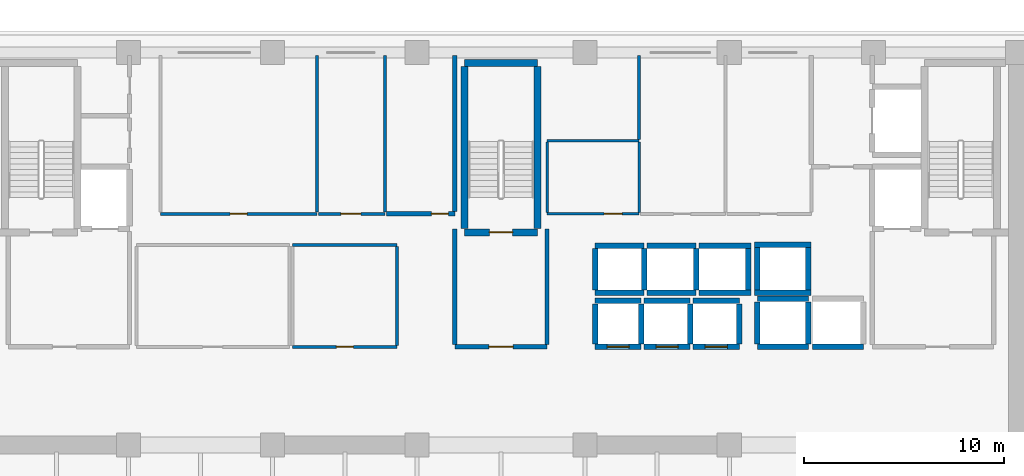
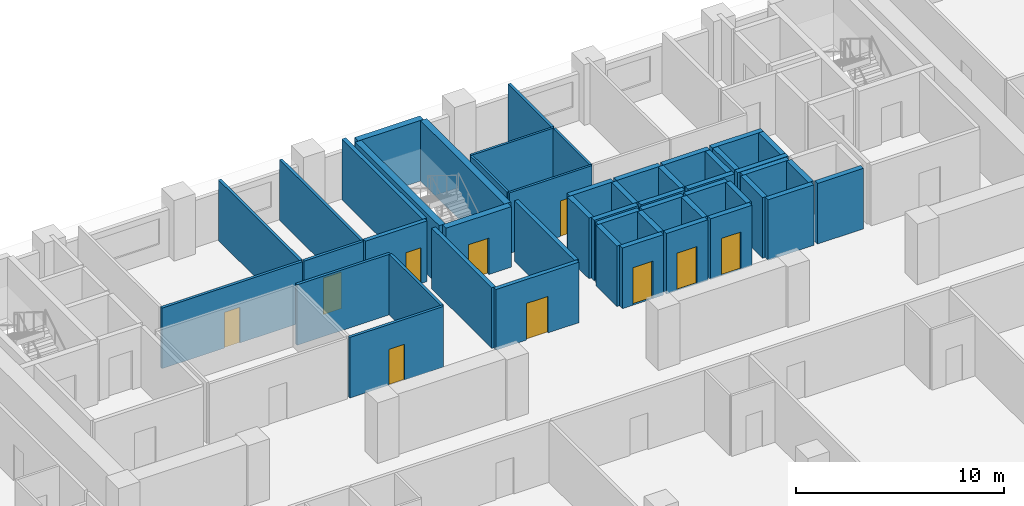
# One storey, part 6 of 14: 50 walls, 10 doors, 10 openings.
"""IFC4 building model written with IfcOpenShell, lengths in metres."""

import ifcopenshell
import ifcopenshell.guid

model = None  # the IFC model being written
_history = None  # IfcOwnerHistory: only IFC2X3 demands one
_inside = {}  # id of a spatial element -> (the spatial element, [elements in it])
_under = {}  # id of a project, library or spatial element -> (it, [spatial elements below it])
_declared = {}  # id of a project -> (the project, [libraries it declares])
_typed = {}  # id of a type object -> (the type object, [elements of that type])
_made_of = {}  # id of a material, layer set ... -> (it, [elements and type objects made of it])


def new_model(schema):
    """Start an empty IFC model of exactly this schema.

    Asked for "IFC4X3", IfcOpenShell would pick the latest addendum, in which some entities
    have other attributes; the version numbers below select the first issue.
    IFC2X3 requires an IfcOwnerHistory on every rooted entity: one is made here for all.
    """
    global model, _history
    if schema == "IFC4X3":
        model = ifcopenshell.file(schema_version=(4, 3, 0, 0))
    else:
        model = ifcopenshell.file(schema=schema)
    _inside.clear()
    _under.clear()
    _declared.clear()
    _typed.clear()
    _made_of.clear()
    _history = None
    if model.schema == "IFC2X3":
        org = make("IfcOrganization", Name="unknown")
        user = make(
            "IfcPersonAndOrganization",
            ThePerson=make("IfcPerson", FamilyName="unknown"),
            TheOrganization=org,
        )
        app = make(
            "IfcApplication",
            ApplicationDeveloper=org,
            Version="unknown",
            ApplicationFullName="unknown",
            ApplicationIdentifier="unknown",
        )
        _history = make(
            "IfcOwnerHistory",
            OwningUser=user,
            OwningApplication=app,
            ChangeAction="ADDED",
            CreationDate=0,
        )
    return model


def make(cls, **values):
    """One entity of the class cls with the attributes given. An attribute that is None is left unset."""
    return model.create_entity(
        cls, **{name: value for name, value in values.items() if value is not None}
    )


def rooted(cls, **values):
    """An entity with a GlobalId (a new one), such as an element, a storey or a relation."""
    return make(cls, GlobalId=ifcopenshell.guid.new(), OwnerHistory=_history, **values)


def si_unit(unit_type, name, prefix=None):
    """IfcSIUnit, for example si_unit("LENGTHUNIT", "METRE", prefix="MILLI")."""
    return make("IfcSIUnit", UnitType=unit_type, Prefix=prefix, Name=name)


def assignment(units):
    """IfcUnitAssignment: the units of a project."""
    return None if units is None else make("IfcUnitAssignment", Units=units)


def point(xyz):
    """IfcCartesianPoint."""
    return None if xyz is None else make("IfcCartesianPoint", Coordinates=xyz)


def direction(xyz):
    """IfcDirection."""
    return None if xyz is None else make("IfcDirection", DirectionRatios=xyz)


def frame(location, z_axis=None, x_axis=None):
    """IfcAxis2Placement3D, a coordinate frame: its origin and axes. An axis left out is left unset."""
    return make(
        "IfcAxis2Placement3D",
        Location=point(location),
        Axis=direction(z_axis),
        RefDirection=direction(x_axis),
    )


def frame_2d(location, x_axis=None):
    """IfcAxis2Placement2D, a coordinate frame in the plane: its origin and x axis."""
    return make(
        "IfcAxis2Placement2D", Location=point(location), RefDirection=direction(x_axis)
    )


def origin():
    """The frame at (0, 0, 0) with its axes left unset."""
    return frame((0.0, 0.0, 0.0))


def place(relative_to, where):
    """IfcLocalPlacement: puts the frame where relative to a parent placement (None: the world)."""
    return make(
        "IfcLocalPlacement", PlacementRelTo=relative_to, RelativePlacement=where
    )


def context(
    kind, dimensions, precision=None, world=None, true_north=None, identifier=None
):
    """IfcGeometricRepresentationContext, for example the 3D "Model" context."""
    return make(
        "IfcGeometricRepresentationContext",
        ContextIdentifier=identifier,
        ContextType=kind,
        CoordinateSpaceDimension=dimensions,
        Precision=precision,
        WorldCoordinateSystem=world,
        TrueNorth=true_north,
    )


def subcontext(parent, identifier, kind, view, scale=None):
    """IfcGeometricRepresentationSubContext, for example "Body" below "Model"."""
    return make(
        "IfcGeometricRepresentationSubContext",
        ContextIdentifier=identifier,
        ContextType=kind,
        ParentContext=parent,
        TargetScale=scale,
        TargetView=view,
    )


def project(units=None, contexts=None):
    """IfcProject with its units and contexts."""
    return rooted(
        "IfcProject",
        Name="project",
        RepresentationContexts=contexts,
        UnitsInContext=assignment(units),
    )


def spatial(cls, under=None, at=None, **own):
    """A site, building, storey or space (cls), placed at a placement, below another one or the project."""
    s = rooted(cls, ObjectPlacement=at, **own)
    if under is not None:
        _under.setdefault(under.id(), (under, []))[1].append(s)
    return s


def profile(cls, at=None, kind="AREA", **sizes):
    """A parametric profile (cls). Its sizes go by their IFC names, for example OverallWidth=200.0."""
    return make(cls, ProfileType=kind, Position=at, **sizes)


def rectangle(**sizes):
    """IfcRectangleProfileDef."""
    return profile("IfcRectangleProfileDef", **sizes)


def extrude(swept, where, along, depth):
    """IfcExtrudedAreaSolid: the profile swept, set in the frame where, extruded along a direction by depth."""
    return make(
        "IfcExtrudedAreaSolid",
        SweptArea=swept,
        Position=where,
        ExtrudedDirection=direction(along),
        Depth=depth,
    )


def shape(context_of_items, identifier, shape_type, items):
    """IfcShapeRepresentation: the items that make up one representation, for example the "Body"."""
    return make(
        "IfcShapeRepresentation",
        ContextOfItems=context_of_items,
        RepresentationIdentifier=identifier,
        RepresentationType=shape_type,
        Items=items,
    )


def material(Name=None, Category=None):
    """IfcMaterial."""
    return make("IfcMaterial", Name=Name, Category=Category)


def layer(
    of_material, thickness, ventilated=None, Name=None, Category=None, Priority=None
):
    """IfcMaterialLayer: one layer of a wall or slab, of a material (None: an air gap)."""
    return make(
        "IfcMaterialLayer",
        Material=of_material,
        LayerThickness=thickness,
        IsVentilated=ventilated,
        Name=Name,
        Category=Category,
        Priority=Priority,
    )


def layer_set(layers, Name=None):
    """IfcMaterialLayerSet."""
    return make("IfcMaterialLayerSet", MaterialLayers=layers, LayerSetName=Name)


def made_of(thing, what):
    """Note that an element or type object is made of a material, layer set ...; save() writes the relation."""
    if what is not None:
        _made_of.setdefault(what.id(), (what, []))[1].append(thing)
    return thing


def type_object(cls, material=None, **own):
    """A type object (cls), such as IfcWallType, which elements share."""
    return made_of(rooted(cls, **own), material)


def element(
    cls,
    number,
    at=None,
    inside=None,
    cuts=None,
    type_object=None,
    material=None,
    context=None,
    identifier="Body",
    shape_type=None,
    held_by="IfcProductDefinitionShape",
    body=None,
    shapes=None,
    **own,
):
    """One element of the class cls, such as IfcWall. Its Tag is "e" and its number.

    at: its placement. inside: the storey or other place that contains it. cuts: it is an
    opening in that element (IfcRelVoidsElement). A single representation is given by context,
    identifier, shape_type and body (its items); several are given by shapes. held_by: the class
    of the entity that holds the representations. save() writes the other relations.
    """
    e = rooted(cls, Tag="e%d" % number, ObjectPlacement=at, **own)
    if body is not None:
        shapes = [shape(context, identifier, shape_type, body)]
    if shapes is not None:
        e.Representation = make(held_by, Representations=shapes)
    if inside is not None:
        _inside.setdefault(inside.id(), (inside, []))[1].append(e)
    if cuts is not None:
        rooted(
            "IfcRelVoidsElement", RelatingBuildingElement=cuts, RelatedOpeningElement=e
        )
    if type_object is not None:
        _typed.setdefault(type_object.id(), (type_object, []))[1].append(e)
    return made_of(e, material)


def fill(opening, filler):
    """IfcRelFillsElement: the door or window that sits in an opening."""
    return rooted(
        "IfcRelFillsElement",
        RelatingOpeningElement=opening,
        RelatedBuildingElement=filler,
    )


def aggregate(whole, parts):
    """IfcRelAggregates: a whole, such as a stair, and the parts it consists of."""
    return rooted("IfcRelAggregates", RelatingObject=whole, RelatedObjects=parts)


def save(model, path):
    """Write the relations noted so far, then the file.

    IfcRelAggregates (storeys below a building ...), IfcRelContainedInSpatialStructure (elements
    in a storey), IfcRelDefinesByType, IfcRelAssociatesMaterial and IfcRelDeclares: one each for
    every whole, place, type object, material and project.
    """
    for whole, parts in _under.values():
        aggregate(whole, parts)
    for where, things in _inside.values():
        rooted(
            "IfcRelContainedInSpatialStructure",
            RelatedElements=things,
            RelatingStructure=where,
        )
    for kind, things in _typed.values():
        rooted("IfcRelDefinesByType", RelatedObjects=things, RelatingType=kind)
    for what, things in _made_of.values():
        rooted("IfcRelAssociatesMaterial", RelatedObjects=things, RelatingMaterial=what)
    for by, libraries in _declared.values():
        rooted("IfcRelDeclares", RelatingContext=by, RelatedDefinitions=libraries)
    model.write(path)


model = new_model("IFC4")

# Units and contexts
model_context = context("Model", 3, precision=1e-05, world=origin(), true_north=direction((0.0, 1.0)))
body_context = subcontext(model_context, "Body", "Model", "MODEL_VIEW")
ifc_project = project(units=[si_unit("LENGTHUNIT", "METRE"), si_unit("AREAUNIT", "SQUARE_METRE"), si_unit("VOLUMEUNIT", "CUBIC_METRE"), si_unit("PLANEANGLEUNIT", "RADIAN"), si_unit("MASSUNIT", "GRAM", prefix="KILO")], contexts=[model_context])

# Site, building, storey
site_placement = place(None, origin())
site = spatial("IfcSite", under=ifc_project, at=site_placement, CompositionType="ELEMENT")
building_placement = place(site_placement, origin())
building = spatial("IfcBuilding", under=site, at=building_placement, Name="Kaelvorn Grand Hotel", CompositionType="ELEMENT")
storey_placement = place(building_placement, frame((0.0, 0.0, 201.550048828125)))
storey = spatial("IfcBuildingStorey", under=building, at=storey_placement, Name="L49", CompositionType="ELEMENT", Elevation=201.550048828125)

# Wall, opening, door
ifc_material_1 = material(Name="Moisture-Resistant Tile & Stud Board")
ifc_layer_1 = layer(ifc_material_1, 0.125)
ifc_layer_set_1 = layer_set([ifc_layer_1], Name="Moisture-Resistant Tile & Stud Board")
wall_type_1 = type_object("IfcWallType", Name="WL-PART-125-WET", PredefinedType="PARTITIONING", material=ifc_layer_set_1)
wall_1_placement = place(storey_placement, frame((44.300048828125, 40.949951171875, 0.0), z_axis=(0.0, 0.0, 1.0), x_axis=(1.0, 0.0, 0.0)))
wall_1 = element("IfcWall", 1, at=wall_1_placement, inside=storey, type_object=wall_type_1, Name="L49 Accessible WC S Partition", PredefinedType="PARTITIONING", context=body_context, shape_type="SweptSolid", body=[
    extrude(rectangle(XDim=4.599853515625, YDim=0.125, at=frame_2d((2.2998046875, 0.0))), origin(), (0.0, 0.0, 1.0), 3.56005859375),
])
opening_1_placement = place(wall_1_placement, frame((2.85009765625, 0.0, 0.0)))
opening_1 = element("IfcOpeningElement", 2, at=opening_1_placement, cuts=wall_1, Name="Opening DI4", PredefinedType="OPENING", context=body_context, shape_type="SweptSolid", body=[
    extrude(rectangle(XDim=0.89990234375, YDim=2.10009765625, at=frame_2d((0.449951171875, 1.050048828125))), frame((0.0, 0.072509765625, 0.0), z_axis=(0.0, -1.0, 0.0), x_axis=(1.0, 0.0, 0.0)), (0.0, 0.0, 1.0), 0.14501953125),
])
ifc_material_2 = material(Name="Timber Veneer Leaf", Category="wood")
door_type_1 = type_object("IfcDoorType", Name="DR-INT-BATH-900x2100", OperationType="NOTDEFINED", PredefinedType="DOOR", material=ifc_material_2)
door_1_placement = place(opening_1_placement, origin())
door_1 = element("IfcDoor", 3, at=door_1_placement, inside=storey, type_object=door_type_1, Name="L49 Accessible WC Door", OperationType="SINGLE_SWING_LEFT", OverallHeight=2.10009765625, OverallWidth=0.89990234375, PredefinedType="DOOR", context=body_context, shape_type="SweptSolid", body=[
    extrude(rectangle(XDim=0.89990234375, YDim=2.10009765625, at=frame_2d((0.449951171875, 1.050048828125))), frame((0.0, 0.02490234375, 0.0), z_axis=(0.0, -1.0, 0.0), x_axis=(1.0, 0.0, 0.0)), (0.0, 0.0, 1.0), 0.050048828125),
])
fill(opening_1, door_1)

# Walls
wall_2_placement = place(storey_placement, frame((44.300048828125, 44.60009765625, 0.0), z_axis=(0.0, 0.0, 1.0), x_axis=(1.0, 0.0, 0.0)))
element("IfcWall", 4, at=wall_2_placement, inside=storey, type_object=wall_type_1, Name="L49 Accessible WC N Partition", PredefinedType="PARTITIONING", context=body_context, shape_type="SweptSolid", body=[
    extrude(rectangle(XDim=4.599853515625, YDim=0.125, at=frame_2d((2.2998046875, 0.0))), origin(), (0.0, 0.0, 1.0), 3.56005859375),
])
for number, where, z_axis, x_axis, name in (
    (5, (44.300048828125, 41.017578125, 0.0), (0.0, 0.0, 1.0), (0.0, 1.0, 0.0), "L49 Accessible WC W Partition"),
    (6, (48.89990234375, 41.017578125, 0.0), (0.0, 0.0, 1.0), (0.0, 1.0, 0.0), "L49 Accessible WC E Partition"),
):
    element("IfcWall", number, at=place(storey_placement, frame(where, z_axis=z_axis, x_axis=x_axis)), inside=storey, type_object=wall_type_1, Name=name, PredefinedType="PARTITIONING", context=body_context, shape_type="SweptSolid", body=[
        extrude(rectangle(XDim=3.514892578125, YDim=0.125, at=frame_2d((1.75732421875, 0.0))), origin(), (0.0, 0.0, 1.0), 3.56005859375),
    ])

# Wall, opening, door
ifc_material_3 = material(Name="Acoustic Gypsum & Stud Partition")
ifc_layer_2 = layer(ifc_material_3, 0.14990234375)
ifc_layer_set_2 = layer_set([ifc_layer_2], Name="Acoustic Gypsum & Stud Partition")
wall_type_2 = type_object("IfcWallType", Name="WL-PART-150-EI60", PredefinedType="PARTITIONING", material=ifc_layer_set_2)
wall_3_placement = place(storey_placement, frame((31.60009765625, 34.300048828125, 0.0), z_axis=(0.0, 0.0, 1.0), x_axis=(1.0, 0.0, 0.0)))
wall_3 = element("IfcWall", 7, at=wall_3_placement, inside=storey, type_object=wall_type_2, Name="L49 Core Telecoms & BMS Server Room S Partition", PredefinedType="PARTITIONING", context=body_context, shape_type="SweptSolid", body=[
    extrude(rectangle(XDim=5.199951171875, YDim=0.14990234375, at=frame_2d((2.60009765625, 0.0))), origin(), (0.0, 0.0, 1.0), 3.56005859375),
])
opening_2_placement = place(wall_3_placement, frame((2.175048828125, 0.0, 0.0)))
opening_2 = element("IfcOpeningElement", 8, at=opening_2_placement, cuts=wall_3, Name="Opening DI7", PredefinedType="OPENING", context=body_context, shape_type="SweptSolid", body=[
    extrude(rectangle(XDim=0.85009765625, YDim=2.10009765625, at=frame_2d((0.425048828125, 1.050048828125))), frame((0.0, 0.0849609375, 0.0), z_axis=(0.0, -1.0, 0.0), x_axis=(1.0, 0.0, 0.0)), (0.0, 0.0, 1.0), 0.169921875),
])
ifc_material_4 = material(Name="Powder-Coated Steel Leaf", Category="steel")
door_type_2 = type_object("IfcDoorType", Name="DR-INT-RISER-850x2100", OperationType="NOTDEFINED", PredefinedType="DOOR", material=ifc_material_4)
door_2_placement = place(opening_2_placement, origin())
door_2 = element("IfcDoor", 9, at=door_2_placement, inside=storey, type_object=door_type_2, Name="L49 Core Telecoms & BMS Server Room Door", OperationType="SINGLE_SWING_RIGHT", OverallHeight=2.10009765625, OverallWidth=0.85009765625, PredefinedType="DOOR", context=body_context, shape_type="SweptSolid", body=[
    extrude(rectangle(XDim=0.85009765625, YDim=2.10009765625, at=frame_2d((0.425048828125, 1.050048828125))), frame((0.0, 0.02490234375, 0.0), z_axis=(0.0, -1.0, 0.0), x_axis=(1.0, 0.0, 0.0)), (0.0, 0.0, 1.0), 0.050048828125),
])
fill(opening_2, door_2)

# Walls
wall_4_placement = place(storey_placement, frame((31.60009765625, 39.39990234375, 0.0), z_axis=(0.0, 0.0, 1.0), x_axis=(1.0, 0.0, 0.0)))
element("IfcWall", 10, at=wall_4_placement, inside=storey, type_object=wall_type_2, Name="L49 Core Telecoms & BMS Server Room N Partition", PredefinedType="PARTITIONING", context=body_context, shape_type="SweptSolid", body=[
    extrude(rectangle(XDim=5.199951171875, YDim=0.14990234375, at=frame_2d((2.60009765625, 0.0))), origin(), (0.0, 0.0, 1.0), 3.56005859375),
])
wall_5_placement = place(storey_placement, frame((36.800048828125, 34.3798828125, 0.0), z_axis=(0.0, 0.0, 1.0), x_axis=(0.0, 1.0, 0.0)))
element("IfcWall", 11, at=wall_5_placement, inside=storey, type_object=wall_type_2, Name="L49 Core Telecoms & BMS Server Room E Partition", PredefinedType="PARTITIONING", context=body_context, shape_type="SweptSolid", body=[
    extrude(rectangle(XDim=4.940185546875, YDim=0.14990234375, at=frame_2d((2.47021484375, 0.0))), origin(), (0.0, 0.0, 1.0), 3.56005859375),
])

# Wall, opening, door
wall_6_placement = place(storey_placement, frame((25.0, 40.949951171875, 0.0), z_axis=(0.0, 0.0, 1.0), x_axis=(1.0, 0.0, 0.0)))
wall_6 = element("IfcWall", 12, at=wall_6_placement, inside=storey, type_object=wall_type_2, Name="L49 Housekeeping & Linen Room S Partition", PredefinedType="PARTITIONING", context=body_context, shape_type="SweptSolid", body=[
    extrude(rectangle(XDim=7.800048828125, YDim=0.14990234375, at=frame_2d((3.89990234375, 0.0))), origin(), (0.0, 0.0, 1.0), 3.56005859375),
])
opening_3_placement = place(wall_6_placement, frame((3.47509765625, 0.0, 0.0)))
opening_3 = element("IfcOpeningElement", 13, at=opening_3_placement, cuts=wall_6, Name="Opening DI7", PredefinedType="OPENING", context=body_context, shape_type="SweptSolid", body=[
    extrude(rectangle(XDim=0.85009765625, YDim=2.10009765625, at=frame_2d((0.425048828125, 1.050048828125))), frame((0.0, 0.0849609375, 0.0), z_axis=(0.0, -1.0, 0.0), x_axis=(1.0, 0.0, 0.0)), (0.0, 0.0, 1.0), 0.169921875),
])
door_3_placement = place(opening_3_placement, origin())
door_3 = element("IfcDoor", 14, at=door_3_placement, inside=storey, type_object=door_type_2, Name="L49 Housekeeping & Linen Room Door", OperationType="SINGLE_SWING_RIGHT", OverallHeight=2.10009765625, OverallWidth=0.85009765625, PredefinedType="DOOR", context=body_context, shape_type="SweptSolid", body=[
    extrude(rectangle(XDim=0.85009765625, YDim=2.10009765625, at=frame_2d((0.425048828125, 1.050048828125))), frame((0.0, 0.02490234375, 0.0), z_axis=(0.0, -1.0, 0.0), x_axis=(1.0, 0.0, 0.0)), (0.0, 0.0, 1.0), 0.050048828125),
])
fill(opening_3, door_3)

# Wall
wall_7_placement = place(storey_placement, frame((32.800048828125, 41.030029296875, 0.0), z_axis=(0.0, 0.0, 1.0), x_axis=(0.0, 1.0, 0.0)))
element("IfcWall", 15, at=wall_7_placement, inside=storey, type_object=wall_type_2, Name="L49 Housekeeping & Linen Room E Partition", PredefinedType="PARTITIONING", context=body_context, shape_type="SweptSolid", body=[
    extrude(rectangle(XDim=7.820068359375, YDim=0.14990234375, at=frame_2d((3.91015625, 0.0))), origin(), (0.0, 0.0, 1.0), 3.56005859375),
])

# Wall, opening, door
wall_8_placement = place(storey_placement, frame((32.8798828125, 40.949951171875, 0.0), z_axis=(0.0, 0.0, 1.0), x_axis=(1.0, 0.0, 0.0)))
wall_8 = element("IfcWall", 16, at=wall_8_placement, inside=storey, type_object=wall_type_2, Name="L49 Floor Butler Tea Point S Partition", PredefinedType="PARTITIONING", context=body_context, shape_type="SweptSolid", body=[
    extrude(rectangle(XDim=3.320068359375, YDim=0.14990234375, at=frame_2d((1.66015625, 0.0))), origin(), (0.0, 0.0, 1.0), 3.56005859375),
])
opening_4_placement = place(wall_8_placement, frame((1.1201171875, 0.0, 0.0)))
opening_4 = element("IfcOpeningElement", 17, at=opening_4_placement, cuts=wall_8, Name="Opening DI3", PredefinedType="OPENING", context=body_context, shape_type="SweptSolid", body=[
    extrude(rectangle(XDim=1.0, YDim=2.14990234375, at=frame_2d((0.5, 1.074951171875))), frame((0.0, 0.0849609375, 0.0), z_axis=(0.0, -1.0, 0.0), x_axis=(1.0, 0.0, 0.0)), (0.0, 0.0, 1.0), 0.169921875),
])
ifc_material_5 = material(Name="Timber Veneer Fire Leaf", Category="wood")
door_type_3 = type_object("IfcDoorType", Name="DR-INT-GUEST-1000x2150", OperationType="NOTDEFINED", PredefinedType="DOOR", material=ifc_material_5)
door_4_placement = place(opening_4_placement, origin())
door_4 = element("IfcDoor", 18, at=door_4_placement, inside=storey, type_object=door_type_3, Name="L49 Floor Butler Tea Point Door", OperationType="SINGLE_SWING_LEFT", OverallHeight=2.14990234375, OverallWidth=1.0, PredefinedType="DOOR", context=body_context, shape_type="SweptSolid", body=[
    extrude(rectangle(XDim=1.0, YDim=2.14990234375, at=frame_2d((0.5, 1.074951171875))), frame((0.0, 0.02490234375, 0.0), z_axis=(0.0, -1.0, 0.0), x_axis=(1.0, 0.0, 0.0)), (0.0, 0.0, 1.0), 0.050048828125),
])
fill(opening_4, door_4)

# Walls
wall_9_placement = place(storey_placement, frame((36.199951171875, 41.030029296875, 0.0), z_axis=(0.0, 0.0, 1.0), x_axis=(0.0, 1.0, 0.0)))
element("IfcWall", 19, at=wall_9_placement, inside=storey, type_object=wall_type_2, Name="L49 Floor Butler Tea Point E Partition", PredefinedType="PARTITIONING", context=body_context, shape_type="SweptSolid", body=[
    extrude(rectangle(XDim=7.820068359375, YDim=0.14990234375, at=frame_2d((3.91015625, 0.0))), origin(), (0.0, 0.0, 1.0), 3.56005859375),
])
wall_10_placement = place(storey_placement, frame((48.89990234375, 44.66748046875, 0.0), z_axis=(0.0, 0.0, 1.0), x_axis=(0.0, 1.0, 0.0)))
element("IfcWall", 20, at=wall_10_placement, inside=storey, type_object=wall_type_2, Name="L49 Minibar & Glassware Store W Partition", PredefinedType="PARTITIONING", context=body_context, shape_type="SweptSolid", body=[
    extrude(rectangle(XDim=4.1826171875, YDim=0.14990234375, at=frame_2d((2.09130859375, 0.0))), origin(), (0.0, 0.0, 1.0), 3.56005859375),
])

# Wall, opening, door
ifc_material_6 = material(Name="Concrete C40/50", Category="concrete")
ifc_layer_3 = layer(ifc_material_6, 0.219970703125)
ifc_layer_set_3 = layer_set([ifc_layer_3], Name="Concrete C40/50")
wall_type_3 = type_object("IfcWallType", Name="WL-PART-220-EI120", PredefinedType="PARTITIONING", material=ifc_layer_set_3)
wall_11_placement = place(storey_placement, frame((39.699951171875, 34.300048828125, 0.0), z_axis=(0.0, 0.0, 1.0), x_axis=(1.0, 0.0, 0.0)))
wall_11 = element("IfcWall", 21, at=wall_11_placement, inside=storey, type_object=wall_type_3, Name="L49 Central Stair Escape Vestibule S Partition", PredefinedType="PARTITIONING", context=body_context, shape_type="SweptSolid", body=[
    extrude(rectangle(XDim=4.60009765625, YDim=0.219970703125, at=frame_2d((2.300048828125, 0.0))), origin(), (0.0, 0.0, 1.0), 3.56005859375),
])
opening_5_placement = place(wall_11_placement, frame((1.699951171875, 0.0, 0.0)))
opening_5 = element("IfcOpeningElement", 22, at=opening_5_placement, cuts=wall_11, Name="Opening DI2", PredefinedType="OPENING", context=body_context, shape_type="SweptSolid", body=[
    extrude(rectangle(XDim=1.199951171875, YDim=2.14990234375, at=frame_2d((0.60009765625, 1.074951171875))), frame((0.0, 0.1201171875, 0.0), z_axis=(0.0, -1.0, 0.0), x_axis=(1.0, 0.0, 0.0)), (0.0, 0.0, 1.0), 0.239990234375),
])
door_type_4 = type_object("IfcDoorType", Name="DR-INT-FFLOB-1200x2150", OperationType="NOTDEFINED", PredefinedType="DOOR", material=ifc_material_5)
door_5_placement = place(opening_5_placement, origin())
door_5 = element("IfcDoor", 23, at=door_5_placement, inside=storey, type_object=door_type_4, Name="L49 Central Stair Escape Vestibule Door", OperationType="SINGLE_SWING_RIGHT", OverallHeight=2.14990234375, OverallWidth=1.199951171875, PredefinedType="DOOR", context=body_context, shape_type="SweptSolid", body=[
    extrude(rectangle(XDim=1.199951171875, YDim=2.14990234375, at=frame_2d((0.60009765625, 1.074951171875))), frame((0.0, 0.02490234375, 0.0), z_axis=(0.0, -1.0, 0.0), x_axis=(1.0, 0.0, 0.0)), (0.0, 0.0, 1.0), 0.050048828125),
])
fill(opening_5, door_5)

# Walls
for number, where, z_axis, x_axis, name in (
    (24, (39.699951171875, 34.4150390625, 0.0), (0.0, 0.0, 1.0), (0.0, 1.0, 0.0), "L49 Central Stair Escape Vestibule W Partition"),
    (25, (44.300048828125, 34.4150390625, 0.0), (0.0, 0.0, 1.0), (0.0, 1.0, 0.0), "L49 Central Stair Escape Vestibule E Partition"),
):
    element("IfcWall", number, at=place(storey_placement, frame(where, z_axis=z_axis, x_axis=x_axis)), inside=storey, type_object=wall_type_3, Name=name, PredefinedType="PARTITIONING", context=body_context, shape_type="SweptSolid", body=[
        extrude(rectangle(XDim=5.784912109375, YDim=0.219970703125, at=frame_2d((2.892578125, 0.0))), origin(), (0.0, 0.0, 1.0), 3.56005859375),
    ])

# Wall, opening, door
wall_12_placement = place(storey_placement, frame((36.280029296875, 40.949951171875, 0.0), z_axis=(0.0, 0.0, 1.0), x_axis=(1.0, 0.0, 0.0)))
wall_12 = element("IfcWall", 26, at=wall_12_placement, inside=storey, type_object=wall_type_3, Name="L49 LV Electrical & Metering Room S Partition", PredefinedType="PARTITIONING", context=body_context, shape_type="SweptSolid", body=[
    extrude(rectangle(XDim=3.419921875, YDim=0.219970703125, at=frame_2d((1.7099609375, 0.0))), origin(), (0.0, 0.0, 1.0), 3.56005859375),
])
opening_6_placement = place(wall_12_placement, frame((2.2451171875, 0.0, 0.0)))
opening_6 = element("IfcOpeningElement", 27, at=opening_6_placement, cuts=wall_12, Name="Opening DI7", PredefinedType="OPENING", context=body_context, shape_type="SweptSolid", body=[
    extrude(rectangle(XDim=0.85009765625, YDim=2.10009765625, at=frame_2d((0.425048828125, 1.050048828125))), frame((0.0, 0.1201171875, 0.0), z_axis=(0.0, -1.0, 0.0), x_axis=(1.0, 0.0, 0.0)), (0.0, 0.0, 1.0), 0.239990234375),
])
door_6_placement = place(opening_6_placement, origin())
door_6 = element("IfcDoor", 28, at=door_6_placement, inside=storey, type_object=door_type_2, Name="L49 LV Electrical & Metering Room Door", OperationType="SINGLE_SWING_RIGHT", OverallHeight=2.10009765625, OverallWidth=0.85009765625, PredefinedType="DOOR", context=body_context, shape_type="SweptSolid", body=[
    extrude(rectangle(XDim=0.85009765625, YDim=2.10009765625, at=frame_2d((0.425048828125, 1.050048828125))), frame((0.0, 0.02490234375, 0.0), z_axis=(0.0, -1.0, 0.0), x_axis=(1.0, 0.0, 0.0)), (0.0, 0.0, 1.0), 0.050048828125),
])
fill(opening_6, door_6)

# Wall
wall_13_placement = place(storey_placement, frame((39.699951171875, 41.06494140625, 0.0), z_axis=(0.0, 0.0, 1.0), x_axis=(0.0, 1.0, 0.0)))
element("IfcWall", 29, at=wall_13_placement, inside=storey, type_object=wall_type_3, Name="L49 LV Electrical & Metering Room E Partition", PredefinedType="PARTITIONING", context=body_context, shape_type="SweptSolid", body=[
    extrude(rectangle(XDim=7.78515625, YDim=0.219970703125, at=frame_2d((3.892578125, 0.0))), origin(), (0.0, 0.0, 1.0), 3.56005859375),
])

# Wall, opening, door
ifc_material_7 = material(Name="Concrete C50/60", Category="concrete")
ifc_layer_4 = layer(ifc_material_7, 0.280029296875)
ifc_layer_set_4 = layer_set([ifc_layer_4], Name="Concrete C50/60")
wall_type_4 = type_object("IfcWallType", Name="WL-SHAFT-280-C50", PredefinedType="SHEAR", material=ifc_layer_set_4)
wall_14_placement = place(storey_placement, frame((46.699951171875, 34.300048828125, 0.0), z_axis=(0.0, 0.0, 1.0), x_axis=(1.0, 0.0, 0.0)))
wall_14 = element("IfcWall", 30, at=wall_14_placement, inside=storey, type_object=wall_type_4, Name="L49 Lift PL-M1 Shaft South Wall", PredefinedType="SHEAR", context=body_context, shape_type="SweptSolid", body=[
    extrude(rectangle(XDim=2.300048828125, YDim=0.280029296875, at=frame_2d((1.14990234375, 0.0))), origin(), (0.0, 0.0, 1.0), 3.56005859375),
])
opening_7_placement = place(wall_14_placement, frame((0.60009765625, 0.0, 0.0)))
opening_7 = element("IfcOpeningElement", 31, at=opening_7_placement, cuts=wall_14, Name="Opening LD-PL-M1", PredefinedType="OPENING", context=body_context, shape_type="SweptSolid", body=[
    extrude(rectangle(XDim=1.10009765625, YDim=2.199951171875, at=frame_2d((0.550048828125, 1.10009765625))), frame((0.0, 0.14990234375, 0.0), z_axis=(0.0, -1.0, 0.0), x_axis=(1.0, 0.0, 0.0)), (0.0, 0.0, 1.0), 0.300048828125),
])
ifc_material_8 = material(Name="Stainless Steel", Category="steel")
door_type_5 = type_object("IfcDoorType", Name="DR-LIFT-PASS-1100x2200", OperationType="DOUBLE_DOOR_SLIDING", PredefinedType="DOOR", material=ifc_material_8)
door_7_placement = place(opening_7_placement, origin())
door_7 = element("IfcDoor", 32, at=door_7_placement, inside=storey, type_object=door_type_5, Name="L49 Lift PL-M1 Sliding Landing Door LD-PL-M1", OperationType="DOUBLE_DOOR_SLIDING", OverallHeight=2.199951171875, OverallWidth=1.10009765625, PredefinedType="DOOR", context=body_context, shape_type="SweptSolid", body=[
    extrude(rectangle(XDim=1.10009765625, YDim=2.199951171875, at=frame_2d((0.550048828125, 1.10009765625))), frame((0.0, 0.02490234375, 0.0), z_axis=(0.0, -1.0, 0.0), x_axis=(1.0, 0.0, 0.0)), (0.0, 0.0, 1.0), 0.050048828125),
])
fill(opening_7, door_7)

# Walls
wall_15_placement = place(storey_placement, frame((46.699951171875, 36.60009765625, 0.0), z_axis=(0.0, 0.0, 1.0), x_axis=(1.0, 0.0, 0.0)))
element("IfcWall", 33, at=wall_15_placement, inside=storey, type_object=wall_type_4, Name="L49 Lift PL-M1 Shaft North Wall", PredefinedType="SHEAR", context=body_context, shape_type="SweptSolid", body=[
    extrude(rectangle(XDim=2.300048828125, YDim=0.280029296875, at=frame_2d((1.14990234375, 0.0))), origin(), (0.0, 0.0, 1.0), 3.56005859375),
])
for number, where, z_axis, x_axis, name in (
    (34, (46.699951171875, 34.445068359375, 0.0), (0.0, 0.0, 1.0), (0.0, 1.0, 0.0), "L49 Lift PL-M1 Shaft West Wall"),
    (35, (49.0, 34.445068359375, 0.0), (0.0, 0.0, 1.0), (0.0, 1.0, 0.0), "L49 Lift PL-M1 Shaft East Wall"),
):
    element("IfcWall", number, at=place(storey_placement, frame(where, z_axis=z_axis, x_axis=x_axis)), inside=storey, type_object=wall_type_4, Name=name, PredefinedType="SHEAR", context=body_context, shape_type="SweptSolid", body=[
        extrude(rectangle(XDim=2.010009765625, YDim=0.280029296875, at=frame_2d((1.0048828125, 0.0))), origin(), (0.0, 0.0, 1.0), 3.56005859375),
    ])

# Wall, opening, door
wall_16_placement = place(storey_placement, frame((49.14990234375, 34.300048828125, 0.0), z_axis=(0.0, 0.0, 1.0), x_axis=(1.0, 0.0, 0.0)))
wall_16 = element("IfcWall", 36, at=wall_16_placement, inside=storey, type_object=wall_type_4, Name="L49 Lift PL-M2 Shaft South Wall", PredefinedType="SHEAR", context=body_context, shape_type="SweptSolid", body=[
    extrude(rectangle(XDim=2.300048828125, YDim=0.280029296875, at=frame_2d((1.14990234375, 0.0))), origin(), (0.0, 0.0, 1.0), 3.56005859375),
])
opening_8_placement = place(wall_16_placement, frame((0.60009765625, 0.0, 0.0)))
opening_8 = element("IfcOpeningElement", 37, at=opening_8_placement, cuts=wall_16, Name="Opening LD-PL-M2", PredefinedType="OPENING", context=body_context, shape_type="SweptSolid", body=[
    extrude(rectangle(XDim=1.10009765625, YDim=2.199951171875, at=frame_2d((0.550048828125, 1.10009765625))), frame((0.0, 0.14990234375, 0.0), z_axis=(0.0, -1.0, 0.0), x_axis=(1.0, 0.0, 0.0)), (0.0, 0.0, 1.0), 0.300048828125),
])
door_8_placement = place(opening_8_placement, origin())
door_8 = element("IfcDoor", 38, at=door_8_placement, inside=storey, type_object=door_type_5, Name="L49 Lift PL-M2 Sliding Landing Door LD-PL-M2", OperationType="DOUBLE_DOOR_SLIDING", OverallHeight=2.199951171875, OverallWidth=1.10009765625, PredefinedType="DOOR", context=body_context, shape_type="SweptSolid", body=[
    extrude(rectangle(XDim=1.10009765625, YDim=2.199951171875, at=frame_2d((0.550048828125, 1.10009765625))), frame((0.0, 0.02490234375, 0.0), z_axis=(0.0, -1.0, 0.0), x_axis=(1.0, 0.0, 0.0)), (0.0, 0.0, 1.0), 0.050048828125),
])
fill(opening_8, door_8)

# Walls
wall_17_placement = place(storey_placement, frame((49.14990234375, 36.60009765625, 0.0), z_axis=(0.0, 0.0, 1.0), x_axis=(1.0, 0.0, 0.0)))
element("IfcWall", 39, at=wall_17_placement, inside=storey, type_object=wall_type_4, Name="L49 Lift PL-M2 Shaft North Wall", PredefinedType="SHEAR", context=body_context, shape_type="SweptSolid", body=[
    extrude(rectangle(XDim=2.300048828125, YDim=0.280029296875, at=frame_2d((1.14990234375, 0.0))), origin(), (0.0, 0.0, 1.0), 3.56005859375),
])
wall_18_placement = place(storey_placement, frame((51.449951171875, 34.445068359375, 0.0), z_axis=(0.0, 0.0, 1.0), x_axis=(0.0, 1.0, 0.0)))
element("IfcWall", 40, at=wall_18_placement, inside=storey, type_object=wall_type_4, Name="L49 Lift PL-M2 Shaft East Wall", PredefinedType="SHEAR", context=body_context, shape_type="SweptSolid", body=[
    extrude(rectangle(XDim=2.010009765625, YDim=0.280029296875, at=frame_2d((1.0048828125, 0.0))), origin(), (0.0, 0.0, 1.0), 3.56005859375),
])

# Wall, opening, door
wall_19_placement = place(storey_placement, frame((51.60009765625, 34.300048828125, 0.0), z_axis=(0.0, 0.0, 1.0), x_axis=(1.0, 0.0, 0.0)))
wall_19 = element("IfcWall", 41, at=wall_19_placement, inside=storey, type_object=wall_type_4, Name="L49 Lift PL-M3 Shaft South Wall", PredefinedType="SHEAR", context=body_context, shape_type="SweptSolid", body=[
    extrude(rectangle(XDim=2.2998046875, YDim=0.280029296875, at=frame_2d((1.14990234375, 0.0))), origin(), (0.0, 0.0, 1.0), 3.56005859375),
])
opening_9_placement = place(wall_19_placement, frame((0.60009765625, 0.0, 0.0)))
opening_9 = element("IfcOpeningElement", 42, at=opening_9_placement, cuts=wall_19, Name="Opening LD-PL-M3", PredefinedType="OPENING", context=body_context, shape_type="SweptSolid", body=[
    extrude(rectangle(XDim=1.10009765625, YDim=2.199951171875, at=frame_2d((0.550048828125, 1.10009765625))), frame((0.0, 0.14990234375, 0.0), z_axis=(0.0, -1.0, 0.0), x_axis=(1.0, 0.0, 0.0)), (0.0, 0.0, 1.0), 0.300048828125),
])
door_9_placement = place(opening_9_placement, origin())
door_9 = element("IfcDoor", 43, at=door_9_placement, inside=storey, type_object=door_type_5, Name="L49 Lift PL-M3 Sliding Landing Door LD-PL-M3", OperationType="DOUBLE_DOOR_SLIDING", OverallHeight=2.199951171875, OverallWidth=1.10009765625, PredefinedType="DOOR", context=body_context, shape_type="SweptSolid", body=[
    extrude(rectangle(XDim=1.10009765625, YDim=2.199951171875, at=frame_2d((0.550048828125, 1.10009765625))), frame((0.0, 0.02490234375, 0.0), z_axis=(0.0, -1.0, 0.0), x_axis=(1.0, 0.0, 0.0)), (0.0, 0.0, 1.0), 0.050048828125),
])
fill(opening_9, door_9)

# Walls
wall_20_placement = place(storey_placement, frame((51.60009765625, 36.60009765625, 0.0), z_axis=(0.0, 0.0, 1.0), x_axis=(1.0, 0.0, 0.0)))
element("IfcWall", 44, at=wall_20_placement, inside=storey, type_object=wall_type_4, Name="L49 Lift PL-M3 Shaft North Wall", PredefinedType="SHEAR", context=body_context, shape_type="SweptSolid", body=[
    extrude(rectangle(XDim=2.2998046875, YDim=0.280029296875, at=frame_2d((1.14990234375, 0.0))), origin(), (0.0, 0.0, 1.0), 3.56005859375),
])
wall_21_placement = place(storey_placement, frame((53.89990234375, 34.445068359375, 0.0), z_axis=(0.0, 0.0, 1.0), x_axis=(0.0, 1.0, 0.0)))
element("IfcWall", 45, at=wall_21_placement, inside=storey, type_object=wall_type_4, Name="L49 Lift PL-M3 Shaft East Wall", PredefinedType="SHEAR", context=body_context, shape_type="SweptSolid", body=[
    extrude(rectangle(XDim=2.010009765625, YDim=0.280029296875, at=frame_2d((1.0048828125, 0.0))), origin(), (0.0, 0.0, 1.0), 3.56005859375),
])
for number, where, z_axis, x_axis, name in (
    (46, (46.699951171875, 37.0, 0.0), (0.0, 0.0, 1.0), (1.0, 0.0, 0.0), "L49 Lift SL-1 Shaft South Wall"),
    (47, (46.699951171875, 39.35009765625, 0.0), (0.0, 0.0, 1.0), (1.0, 0.0, 0.0), "L49 Lift SL-1 Shaft North Wall"),
):
    element("IfcWall", number, at=place(storey_placement, frame(where, z_axis=z_axis, x_axis=x_axis)), inside=storey, type_object=wall_type_4, Name=name, PredefinedType="SHEAR", context=body_context, shape_type="SweptSolid", body=[
        extrude(rectangle(XDim=2.449951171875, YDim=0.280029296875, at=frame_2d((1.22509765625, 0.0))), origin(), (0.0, 0.0, 1.0), 3.56005859375),
    ])
for number, where, z_axis, x_axis, name in (
    (48, (46.699951171875, 37.14501953125, 0.0), (0.0, 0.0, 1.0), (0.0, 1.0, 0.0), "L49 Lift SL-1 Shaft West Wall"),
    (49, (49.14990234375, 37.14501953125, 0.0), (0.0, 0.0, 1.0), (0.0, 1.0, 0.0), "L49 Lift SL-1 Shaft East Wall"),
):
    element("IfcWall", number, at=place(storey_placement, frame(where, z_axis=z_axis, x_axis=x_axis)), inside=storey, type_object=wall_type_4, Name=name, PredefinedType="SHEAR", context=body_context, shape_type="SweptSolid", body=[
        extrude(rectangle(XDim=2.06005859375, YDim=0.280029296875, at=frame_2d((1.030029296875, 0.0))), origin(), (0.0, 0.0, 1.0), 3.56005859375),
    ])
for number, where, z_axis, x_axis, name in (
    (50, (49.300048828125, 37.0, 0.0), (0.0, 0.0, 1.0), (1.0, 0.0, 0.0), "L49 Lift SL-2 Shaft South Wall"),
    (51, (49.300048828125, 39.35009765625, 0.0), (0.0, 0.0, 1.0), (1.0, 0.0, 0.0), "L49 Lift SL-2 Shaft North Wall"),
):
    element("IfcWall", number, at=place(storey_placement, frame(where, z_axis=z_axis, x_axis=x_axis)), inside=storey, type_object=wall_type_4, Name=name, PredefinedType="SHEAR", context=body_context, shape_type="SweptSolid", body=[
        extrude(rectangle(XDim=2.449951171875, YDim=0.280029296875, at=frame_2d((1.22509765625, 0.0))), origin(), (0.0, 0.0, 1.0), 3.56005859375),
    ])
wall_22_placement = place(storey_placement, frame((51.75, 37.14501953125, 0.0), z_axis=(0.0, 0.0, 1.0), x_axis=(0.0, 1.0, 0.0)))
element("IfcWall", 52, at=wall_22_placement, inside=storey, type_object=wall_type_4, Name="L49 Lift SL-2 Shaft East Wall", PredefinedType="SHEAR", context=body_context, shape_type="SweptSolid", body=[
    extrude(rectangle(XDim=2.06005859375, YDim=0.280029296875, at=frame_2d((1.030029296875, 0.0))), origin(), (0.0, 0.0, 1.0), 3.56005859375),
])
for number, where, z_axis, x_axis, name in (
    (53, (51.89990234375, 37.0, 0.0), (0.0, 0.0, 1.0), (1.0, 0.0, 0.0), "L49 Lift SL-3 Shaft South Wall"),
    (54, (51.89990234375, 39.35009765625, 0.0), (0.0, 0.0, 1.0), (1.0, 0.0, 0.0), "L49 Lift SL-3 Shaft North Wall"),
):
    element("IfcWall", number, at=place(storey_placement, frame(where, z_axis=z_axis, x_axis=x_axis)), inside=storey, type_object=wall_type_4, Name=name, PredefinedType="SHEAR", context=body_context, shape_type="SweptSolid", body=[
        extrude(rectangle(XDim=2.590087890625, YDim=0.280029296875, at=frame_2d((1.294921875, 0.0))), origin(), (0.0, 0.0, 1.0), 3.56005859375),
    ])
wall_23_placement = place(storey_placement, frame((54.35009765625, 37.14501953125, 0.0), z_axis=(0.0, 0.0, 1.0), x_axis=(0.0, 1.0, 0.0)))
element("IfcWall", 55, at=wall_23_placement, inside=storey, type_object=wall_type_4, Name="L49 Lift SL-3 Shaft East Wall", PredefinedType="SHEAR", context=body_context, shape_type="SweptSolid", body=[
    extrude(rectangle(XDim=2.06005859375, YDim=0.280029296875, at=frame_2d((1.030029296875, 0.0))), origin(), (0.0, 0.0, 1.0), 3.56005859375),
])
for number, where, z_axis, x_axis, name in (
    (56, (54.800048828125, 34.300048828125, 0.0), (0.0, 0.0, 1.0), (1.0, 0.0, 0.0), "L49 Lift OL-1 Shaft South Wall"),
    (57, (54.800048828125, 36.699951171875, 0.0), (0.0, 0.0, 1.0), (1.0, 0.0, 0.0), "L49 Lift OL-1 Shaft North Wall"),
):
    element("IfcWall", number, at=place(storey_placement, frame(where, z_axis=z_axis, x_axis=x_axis)), inside=storey, type_object=wall_type_4, Name=name, PredefinedType="SHEAR", context=body_context, shape_type="SweptSolid", body=[
        extrude(rectangle(XDim=2.550048828125, YDim=0.280029296875, at=frame_2d((1.27490234375, 0.0))), origin(), (0.0, 0.0, 1.0), 3.56005859375),
    ])
for number, where, z_axis, x_axis, name in (
    (58, (54.800048828125, 34.445068359375, 0.0), (0.0, 0.0, 1.0), (0.0, 1.0, 0.0), "L49 Lift OL-1 Shaft West Wall"),
    (59, (57.35009765625, 34.445068359375, 0.0), (0.0, 0.0, 1.0), (0.0, 1.0, 0.0), "L49 Lift OL-1 Shaft East Wall"),
):
    element("IfcWall", number, at=place(storey_placement, frame(where, z_axis=z_axis, x_axis=x_axis)), inside=storey, type_object=wall_type_4, Name=name, PredefinedType="SHEAR", context=body_context, shape_type="SweptSolid", body=[
        extrude(rectangle(XDim=2.10986328125, YDim=0.280029296875, at=frame_2d((1.054931640625, 0.0))), origin(), (0.0, 0.0, 1.0), 3.56005859375),
    ])
wall_24_placement = place(storey_placement, frame((57.550048828125, 34.300048828125, 0.0), z_axis=(0.0, 0.0, 1.0), x_axis=(1.0, 0.0, 0.0)))
element("IfcWall", 60, at=wall_24_placement, inside=storey, type_object=wall_type_4, Name="L49 Lift OL-2 Shaft South Wall", PredefinedType="SHEAR", context=body_context, shape_type="SweptSolid", body=[
    extrude(rectangle(XDim=2.550048828125, YDim=0.280029296875, at=frame_2d((1.27490234375, 0.0))), origin(), (0.0, 0.0, 1.0), 3.56005859375),
])
for number, where, z_axis, x_axis, name in (
    (61, (54.659912109375, 37.0, 0.0), (0.0, 0.0, 1.0), (1.0, 0.0, 0.0), "L49 Lift OL-3 Shaft South Wall"),
    (62, (54.659912109375, 39.39990234375, 0.0), (0.0, 0.0, 1.0), (1.0, 0.0, 0.0), "L49 Lift OL-3 Shaft North Wall"),
):
    element("IfcWall", number, at=place(storey_placement, frame(where, z_axis=z_axis, x_axis=x_axis)), inside=storey, type_object=wall_type_4, Name=name, PredefinedType="SHEAR", context=body_context, shape_type="SweptSolid", body=[
        extrude(rectangle(XDim=2.830078125, YDim=0.280029296875, at=frame_2d((1.4150390625, 0.0))), origin(), (0.0, 0.0, 1.0), 3.56005859375),
    ])
for number, where, z_axis, x_axis, name in (
    (63, (54.800048828125, 37.14501953125, 0.0), (0.0, 0.0, 1.0), (0.0, 1.0, 0.0), "L49 Lift OL-3 Shaft West Wall"),
    (64, (57.35009765625, 37.14501953125, 0.0), (0.0, 0.0, 1.0), (0.0, 1.0, 0.0), "L49 Lift OL-3 Shaft East Wall"),
):
    element("IfcWall", number, at=place(storey_placement, frame(where, z_axis=z_axis, x_axis=x_axis)), inside=storey, type_object=wall_type_4, Name=name, PredefinedType="SHEAR", context=body_context, shape_type="SweptSolid", body=[
        extrude(rectangle(XDim=2.10986328125, YDim=0.280029296875, at=frame_2d((1.054931640625, 0.0))), origin(), (0.0, 0.0, 1.0), 3.56005859375),
    ])

# Wall, opening, door
ifc_material_9 = material(Name="Concrete C60/75", Category="concrete")
ifc_layer_5 = layer(ifc_material_9, 0.35009765625)
ifc_layer_set_5 = layer_set([ifc_layer_5], Name="Concrete C60/75")
wall_type_5 = type_object("IfcWallType", Name="WL-SHAFT-350-C60", PredefinedType="SHEAR", material=ifc_layer_set_5)
wall_25_placement = place(storey_placement, frame((40.18505859375, 40.02490234375, 0.0), z_axis=(0.0, 0.0, 1.0), x_axis=(1.0, 0.0, 0.0)))
wall_25 = element("IfcWall", 65, at=wall_25_placement, inside=storey, type_object=wall_type_5, Name="L49 ST2 Stair Shaft South Wall", PredefinedType="SHEAR", context=body_context, shape_type="SweptSolid", body=[
    extrude(rectangle(XDim=3.6298828125, YDim=0.35009765625, at=frame_2d((1.81494140625, 0.0))), origin(), (0.0, 0.0, 1.0), 3.56005859375),
])
opening_10_placement = place(wall_25_placement, frame((1.239990234375, 0.0, 0.0)))
opening_10 = element("IfcOpeningElement", 66, at=opening_10_placement, cuts=wall_25, Name="Opening DI1", PredefinedType="OPENING", context=body_context, shape_type="SweptSolid", body=[
    extrude(rectangle(XDim=1.14990234375, YDim=2.14990234375, at=frame_2d((0.574951171875, 1.074951171875))), frame((0.0, 0.18505859375, 0.0), z_axis=(0.0, -1.0, 0.0), x_axis=(1.0, 0.0, 0.0)), (0.0, 0.0, 1.0), 0.3701171875),
])
door_type_6 = type_object("IfcDoorType", Name="DR-INT-STAIR-1150x2150", OperationType="NOTDEFINED", PredefinedType="DOOR", material=ifc_material_5)
door_10_placement = place(opening_10_placement, origin())
door_10 = element("IfcDoor", 67, at=door_10_placement, inside=storey, type_object=door_type_6, Name="L49 ST2 Exit Stair Fire Door", OperationType="SINGLE_SWING_RIGHT", OverallHeight=2.14990234375, OverallWidth=1.14990234375, PredefinedType="DOOR", context=body_context, shape_type="SweptSolid", body=[
    extrude(rectangle(XDim=1.14990234375, YDim=2.14990234375, at=frame_2d((0.574951171875, 1.074951171875))), frame((0.0, 0.02490234375, 0.0), z_axis=(0.0, -1.0, 0.0), x_axis=(1.0, 0.0, 0.0)), (0.0, 0.0, 1.0), 0.050048828125),
])
fill(opening_10, door_10)

# Walls
wall_26_placement = place(storey_placement, frame((40.18505859375, 48.47509765625, 0.0), z_axis=(0.0, 0.0, 1.0), x_axis=(1.0, 0.0, 0.0)))
element("IfcWall", 68, at=wall_26_placement, inside=storey, type_object=wall_type_5, Name="L49 ST2 Stair Shaft North Wall", PredefinedType="SHEAR", context=body_context, shape_type="SweptSolid", body=[
    extrude(rectangle(XDim=3.6298828125, YDim=0.35009765625, at=frame_2d((1.81494140625, 0.0))), origin(), (0.0, 0.0, 1.0), 3.56005859375),
])
for number, where, z_axis, x_axis, name in (
    (69, (40.18505859375, 40.205078125, 0.0), (0.0, 0.0, 1.0), (0.0, 1.0, 0.0), "L49 ST2 Stair Shaft West Wall"),
    (70, (43.81494140625, 40.205078125, 0.0), (0.0, 0.0, 1.0), (0.0, 1.0, 0.0), "L49 ST2 Stair Shaft East Wall"),
):
    element("IfcWall", number, at=place(storey_placement, frame(where, z_axis=z_axis, x_axis=x_axis)), inside=storey, type_object=wall_type_5, Name=name, PredefinedType="SHEAR", context=body_context, shape_type="SweptSolid", body=[
        extrude(rectangle(XDim=8.08984375, YDim=0.35009765625, at=frame_2d((4.044921875, 0.0))), origin(), (0.0, 0.0, 1.0), 3.56005859375),
    ])

save(model, "model.ifc")
